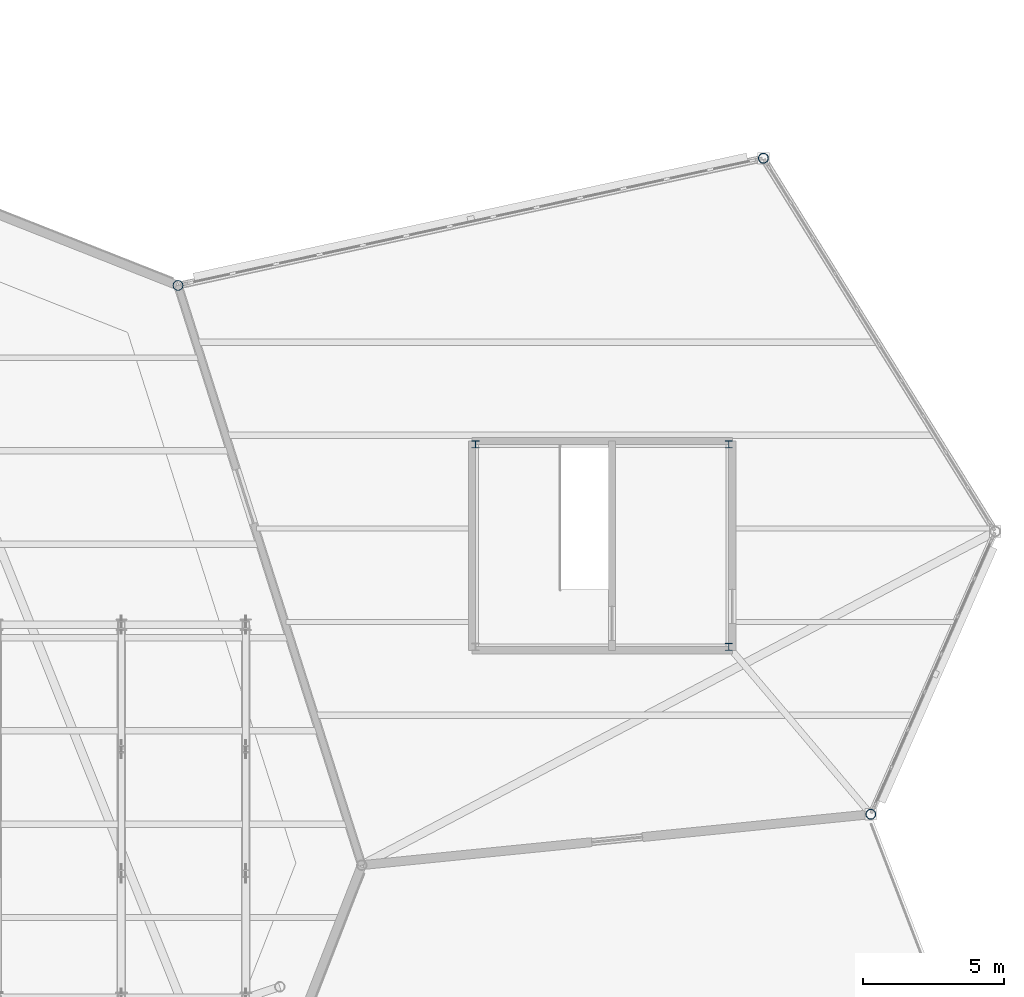
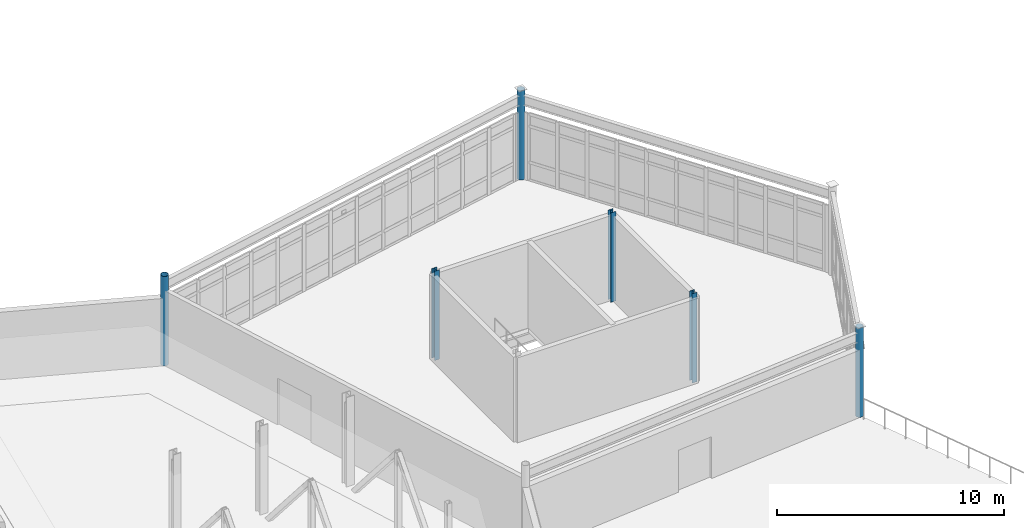
# One storey, part 17 of 114: 6 columns.
"""IFC4 building model written with IfcOpenShell, lengths in metres."""

from ifc_helpers import new_model, si_unit, direction, frame, origin, origin_2d, place, context, subcontext, project, spatial, hollow_circle, i_section, extrude, material, material_profile, profile_set, type_object, element, save


model = new_model("IFC4")

# Units and contexts
model_context = context("Model", 3, precision=1e-05, world=origin(), true_north=direction((0.0, 1.0)))
body_context = subcontext(model_context, "Body", "Model", "MODEL_VIEW")
ifc_project = project(units=[si_unit("LENGTHUNIT", "METRE"), si_unit("AREAUNIT", "SQUARE_METRE"), si_unit("VOLUMEUNIT", "CUBIC_METRE"), si_unit("PLANEANGLEUNIT", "RADIAN"), si_unit("MASSUNIT", "GRAM", prefix="KILO")], contexts=[model_context])

# Site, building, storey
site_placement = place(None, origin())
site = spatial("IfcSite", under=ifc_project, at=site_placement, CompositionType="ELEMENT")
building_placement = place(site_placement, origin())
building = spatial("IfcBuilding", under=site, at=building_placement, Name="Tameran Prism Museum", CompositionType="ELEMENT")
storey_placement = place(building_placement, frame((0.0, 0.0, 10.199951171875)))
storey = spatial("IfcBuildingStorey", under=building, at=storey_placement, Name="L02", CompositionType="ELEMENT", Elevation=10.199951171875)

# Columns
ifc_material_1 = material(Name="Steel Grade C350L0 (350 MPa)", Category="steel")
ifc_material_profile_1 = material_profile(ifc_material_1, hollow_circle(Radius=0.177734375, WallThickness=0.0126953125, at=origin_2d()))
ifc_profile_set_1 = profile_set([ifc_material_profile_1])
column_type_1 = type_object("IfcColumnType", Name="COL-CHS355", PredefinedType="COLUMN", material=ifc_profile_set_1)
for number, where, z_axis, x_axis, name in (
    (1, (137.5, 42.699951171875, 0.0), (0.0, 0.0, 1.0), (1.0, 0.0, 0.0), "Column CV-56 L02"),
    (2, (158.199951171875, 47.199951171875, 0.0), (0.0, 0.0, 1.0), (1.0, 0.0, 0.0), "Column CV-65 L02"),
    (3, (162.0, 24.0, 0.0), (0.0, 0.0, 1.0), (1.0, 0.0, 0.0), "Column CV-66 L02"),
):
    element("IfcColumn", number, at=place(storey_placement, frame(where, z_axis=z_axis, x_axis=x_axis)), inside=storey, type_object=column_type_1, Name=name, PredefinedType="COLUMN", context=body_context, shape_type="SweptSolid", body=[
        extrude(hollow_circle(Radius=0.177734375, WallThickness=0.0126953125, at=origin_2d()), origin(), (0.0, 0.0, 1.0), 4.800048828125),
    ])
ifc_material_2 = material(Name="Steel Grade 300PLUS (300 MPa)", Category="steel")
ifc_material_profile_2 = material_profile(ifc_material_2, i_section(OverallWidth=0.25390625, OverallDepth=0.25390625, WebThickness=0.008544921875, FlangeThickness=0.01416015625, FilletRadius=0.0126953125, at=origin_2d()))
ifc_profile_set_2 = profile_set([ifc_material_profile_2])
column_type_2 = type_object("IfcColumnType", Name="COL-UC250B", PredefinedType="COLUMN", material=ifc_profile_set_2)
for number, where, z_axis, x_axis, name in (
    (4, (156.97998046875, 29.919921875, 0.0), (0.0, 0.0, 1.0), (1.0, 0.0, 0.0), "Column CC-13-2 L02"),
    (5, (156.97998046875, 37.080078125, 0.0), (0.0, 0.0, 1.0), (1.0, 0.0, 0.0), "Column CC-13-3 L02"),
    (6, (148.02001953125, 37.080078125, 0.0), (0.0, 0.0, 1.0), (1.0, 0.0, 0.0), "Column CC-13-4 L02"),
):
    element("IfcColumn", number, at=place(storey_placement, frame(where, z_axis=z_axis, x_axis=x_axis)), inside=storey, type_object=column_type_2, Name=name, PredefinedType="COLUMN", context=body_context, shape_type="SweptSolid", body=[
        extrude(i_section(OverallWidth=0.25390625, OverallDepth=0.25390625, WebThickness=0.008544921875, FlangeThickness=0.01416015625, FilletRadius=0.0126953125, at=origin_2d()), origin(), (0.0, 0.0, 1.0), 4.800048828125),
    ])

save(model, "model.ifc")
